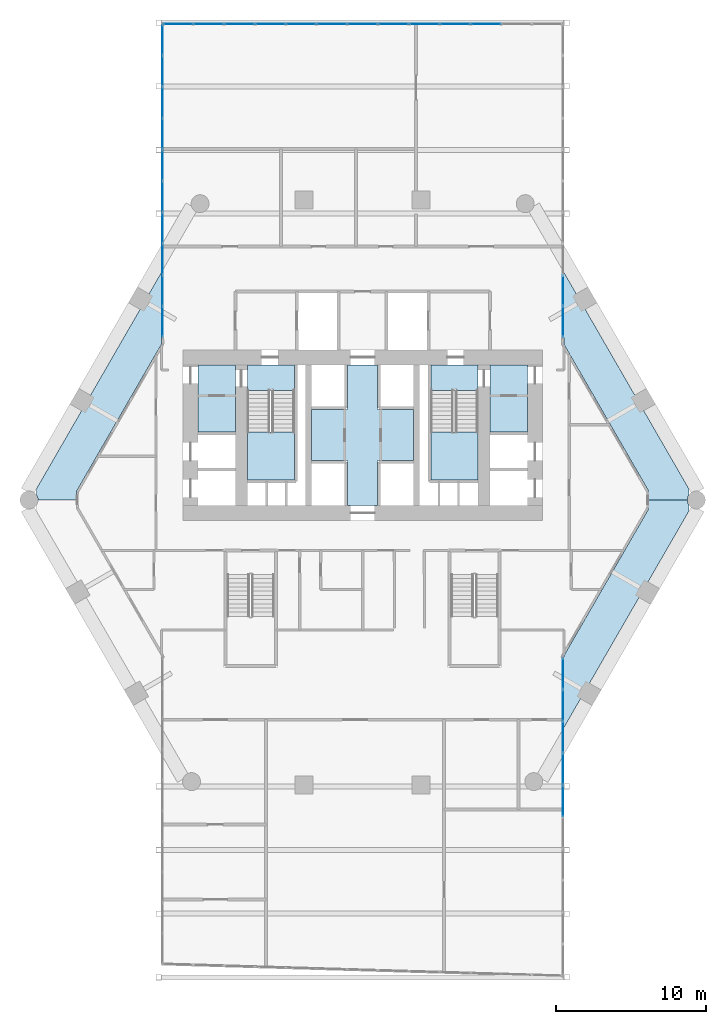
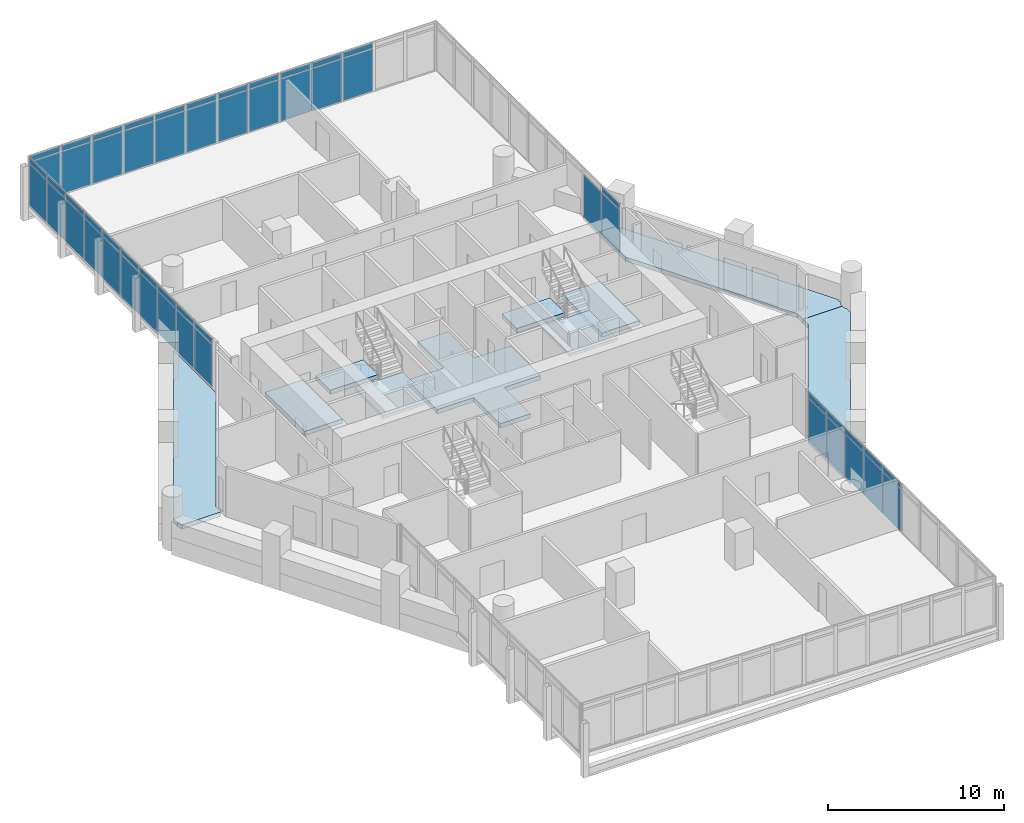
# One storey, part 21 of 28: 55 plates, 10 slabs, 6 elements without a shape of their own.
"""IFC4 building model written with IfcOpenShell, lengths in metres."""

import ifcopenshell
import ifcopenshell.guid

model = None  # the IFC model being written
_history = None  # IfcOwnerHistory: only IFC2X3 demands one
_inside = {}  # id of a spatial element -> (the spatial element, [elements in it])
_under = {}  # id of a project, library or spatial element -> (it, [spatial elements below it])
_declared = {}  # id of a project -> (the project, [libraries it declares])
_typed = {}  # id of a type object -> (the type object, [elements of that type])
_made_of = {}  # id of a material, layer set ... -> (it, [elements and type objects made of it])


def new_model(schema):
    """Start an empty IFC model of exactly this schema.

    Asked for "IFC4X3", IfcOpenShell would pick the latest addendum, in which some entities
    have other attributes; the version numbers below select the first issue.
    IFC2X3 requires an IfcOwnerHistory on every rooted entity: one is made here for all.
    """
    global model, _history
    if schema == "IFC4X3":
        model = ifcopenshell.file(schema_version=(4, 3, 0, 0))
    else:
        model = ifcopenshell.file(schema=schema)
    _inside.clear()
    _under.clear()
    _declared.clear()
    _typed.clear()
    _made_of.clear()
    _history = None
    if model.schema == "IFC2X3":
        org = make("IfcOrganization", Name="unknown")
        user = make(
            "IfcPersonAndOrganization",
            ThePerson=make("IfcPerson", FamilyName="unknown"),
            TheOrganization=org,
        )
        app = make(
            "IfcApplication",
            ApplicationDeveloper=org,
            Version="unknown",
            ApplicationFullName="unknown",
            ApplicationIdentifier="unknown",
        )
        _history = make(
            "IfcOwnerHistory",
            OwningUser=user,
            OwningApplication=app,
            ChangeAction="ADDED",
            CreationDate=0,
        )
    return model


def make(cls, **values):
    """One entity of the class cls with the attributes given. An attribute that is None is left unset."""
    return model.create_entity(
        cls, **{name: value for name, value in values.items() if value is not None}
    )


def rooted(cls, **values):
    """An entity with a GlobalId (a new one), such as an element, a storey or a relation."""
    return make(cls, GlobalId=ifcopenshell.guid.new(), OwnerHistory=_history, **values)


def si_unit(unit_type, name, prefix=None):
    """IfcSIUnit, for example si_unit("LENGTHUNIT", "METRE", prefix="MILLI")."""
    return make("IfcSIUnit", UnitType=unit_type, Prefix=prefix, Name=name)


def assignment(units):
    """IfcUnitAssignment: the units of a project."""
    return None if units is None else make("IfcUnitAssignment", Units=units)


def point(xyz):
    """IfcCartesianPoint."""
    return None if xyz is None else make("IfcCartesianPoint", Coordinates=xyz)


def direction(xyz):
    """IfcDirection."""
    return None if xyz is None else make("IfcDirection", DirectionRatios=xyz)


def frame(location, z_axis=None, x_axis=None):
    """IfcAxis2Placement3D, a coordinate frame: its origin and axes. An axis left out is left unset."""
    return make(
        "IfcAxis2Placement3D",
        Location=point(location),
        Axis=direction(z_axis),
        RefDirection=direction(x_axis),
    )


def frame_2d(location, x_axis=None):
    """IfcAxis2Placement2D, a coordinate frame in the plane: its origin and x axis."""
    return make(
        "IfcAxis2Placement2D", Location=point(location), RefDirection=direction(x_axis)
    )


def origin():
    """The frame at (0, 0, 0) with its axes left unset."""
    return frame((0.0, 0.0, 0.0))


def origin_2d():
    """The frame at (0, 0) in the plane with its x axis left unset."""
    return frame_2d((0.0, 0.0))


def place(relative_to, where):
    """IfcLocalPlacement: puts the frame where relative to a parent placement (None: the world)."""
    return make(
        "IfcLocalPlacement", PlacementRelTo=relative_to, RelativePlacement=where
    )


def context(
    kind, dimensions, precision=None, world=None, true_north=None, identifier=None
):
    """IfcGeometricRepresentationContext, for example the 3D "Model" context."""
    return make(
        "IfcGeometricRepresentationContext",
        ContextIdentifier=identifier,
        ContextType=kind,
        CoordinateSpaceDimension=dimensions,
        Precision=precision,
        WorldCoordinateSystem=world,
        TrueNorth=true_north,
    )


def subcontext(parent, identifier, kind, view, scale=None):
    """IfcGeometricRepresentationSubContext, for example "Body" below "Model"."""
    return make(
        "IfcGeometricRepresentationSubContext",
        ContextIdentifier=identifier,
        ContextType=kind,
        ParentContext=parent,
        TargetScale=scale,
        TargetView=view,
    )


def project(units=None, contexts=None):
    """IfcProject with its units and contexts."""
    return rooted(
        "IfcProject",
        Name="project",
        RepresentationContexts=contexts,
        UnitsInContext=assignment(units),
    )


def spatial(cls, under=None, at=None, **own):
    """A site, building, storey or space (cls), placed at a placement, below another one or the project."""
    s = rooted(cls, ObjectPlacement=at, **own)
    if under is not None:
        _under.setdefault(under.id(), (under, []))[1].append(s)
    return s


def polyline(points):
    """IfcPolyline through the points."""
    return make("IfcPolyline", Points=[point(p) for p in points])


def profile(cls, at=None, kind="AREA", **sizes):
    """A parametric profile (cls). Its sizes go by their IFC names, for example OverallWidth=200.0."""
    return make(cls, ProfileType=kind, Position=at, **sizes)


def rectangle(**sizes):
    """IfcRectangleProfileDef."""
    return profile("IfcRectangleProfileDef", **sizes)


def outline(outer, holes=None, kind="AREA"):
    """IfcArbitraryClosedProfileDef: a profile drawn as a closed curve; with holes, ...WithVoids."""
    if holes is None:
        return make("IfcArbitraryClosedProfileDef", ProfileType=kind, OuterCurve=outer)
    return make(
        "IfcArbitraryProfileDefWithVoids",
        ProfileType=kind,
        OuterCurve=outer,
        InnerCurves=holes,
    )


def extrude(swept, where, along, depth):
    """IfcExtrudedAreaSolid: the profile swept, set in the frame where, extruded along a direction by depth."""
    return make(
        "IfcExtrudedAreaSolid",
        SweptArea=swept,
        Position=where,
        ExtrudedDirection=direction(along),
        Depth=depth,
    )


def shape(context_of_items, identifier, shape_type, items):
    """IfcShapeRepresentation: the items that make up one representation, for example the "Body"."""
    return make(
        "IfcShapeRepresentation",
        ContextOfItems=context_of_items,
        RepresentationIdentifier=identifier,
        RepresentationType=shape_type,
        Items=items,
    )


def material(Name=None, Category=None):
    """IfcMaterial."""
    return make("IfcMaterial", Name=Name, Category=Category)


def layer(
    of_material, thickness, ventilated=None, Name=None, Category=None, Priority=None
):
    """IfcMaterialLayer: one layer of a wall or slab, of a material (None: an air gap)."""
    return make(
        "IfcMaterialLayer",
        Material=of_material,
        LayerThickness=thickness,
        IsVentilated=ventilated,
        Name=Name,
        Category=Category,
        Priority=Priority,
    )


def layer_set(layers, Name=None):
    """IfcMaterialLayerSet."""
    return make("IfcMaterialLayerSet", MaterialLayers=layers, LayerSetName=Name)


def made_of(thing, what):
    """Note that an element or type object is made of a material, layer set ...; save() writes the relation."""
    if what is not None:
        _made_of.setdefault(what.id(), (what, []))[1].append(thing)
    return thing


def type_object(cls, material=None, **own):
    """A type object (cls), such as IfcWallType, which elements share."""
    return made_of(rooted(cls, **own), material)


def element(
    cls,
    number,
    at=None,
    inside=None,
    cuts=None,
    type_object=None,
    material=None,
    context=None,
    identifier="Body",
    shape_type=None,
    held_by="IfcProductDefinitionShape",
    body=None,
    shapes=None,
    **own,
):
    """One element of the class cls, such as IfcWall. Its Tag is "e" and its number.

    at: its placement. inside: the storey or other place that contains it. cuts: it is an
    opening in that element (IfcRelVoidsElement). A single representation is given by context,
    identifier, shape_type and body (its items); several are given by shapes. held_by: the class
    of the entity that holds the representations. save() writes the other relations.
    """
    e = rooted(cls, Tag="e%d" % number, ObjectPlacement=at, **own)
    if body is not None:
        shapes = [shape(context, identifier, shape_type, body)]
    if shapes is not None:
        e.Representation = make(held_by, Representations=shapes)
    if inside is not None:
        _inside.setdefault(inside.id(), (inside, []))[1].append(e)
    if cuts is not None:
        rooted(
            "IfcRelVoidsElement", RelatingBuildingElement=cuts, RelatedOpeningElement=e
        )
    if type_object is not None:
        _typed.setdefault(type_object.id(), (type_object, []))[1].append(e)
    return made_of(e, material)


def aggregate(whole, parts):
    """IfcRelAggregates: a whole, such as a stair, and the parts it consists of."""
    return rooted("IfcRelAggregates", RelatingObject=whole, RelatedObjects=parts)


def save(model, path):
    """Write the relations noted so far, then the file.

    IfcRelAggregates (storeys below a building ...), IfcRelContainedInSpatialStructure (elements
    in a storey), IfcRelDefinesByType, IfcRelAssociatesMaterial and IfcRelDeclares: one each for
    every whole, place, type object, material and project.
    """
    for whole, parts in _under.values():
        aggregate(whole, parts)
    for where, things in _inside.values():
        rooted(
            "IfcRelContainedInSpatialStructure",
            RelatedElements=things,
            RelatingStructure=where,
        )
    for kind, things in _typed.values():
        rooted("IfcRelDefinesByType", RelatedObjects=things, RelatingType=kind)
    for what, things in _made_of.values():
        rooted("IfcRelAssociatesMaterial", RelatedObjects=things, RelatingMaterial=what)
    for by, libraries in _declared.values():
        rooted("IfcRelDeclares", RelatingContext=by, RelatedDefinitions=libraries)
    model.write(path)


model = new_model("IFC4")

# Units and contexts
model_context = context("Model", 3, precision=1e-05, world=origin(), true_north=direction((0.0, 1.0)))
body_context = subcontext(model_context, "Body", "Model", "MODEL_VIEW")
ifc_project = project(units=[si_unit("LENGTHUNIT", "METRE"), si_unit("AREAUNIT", "SQUARE_METRE"), si_unit("VOLUMEUNIT", "CUBIC_METRE"), si_unit("PLANEANGLEUNIT", "RADIAN"), si_unit("MASSUNIT", "GRAM", prefix="KILO")], contexts=[model_context])

# Site, building, storey
site_placement = place(None, origin())
site = spatial("IfcSite", under=ifc_project, at=site_placement, CompositionType="ELEMENT")
building_placement = place(site_placement, origin())
building = spatial("IfcBuilding", under=site, at=building_placement, Name="Ostrander Bayou Hotel Tower", CompositionType="ELEMENT")
storey_placement = place(building_placement, frame((0.0, 0.0, 100.5)))
storey = spatial("IfcBuildingStorey", under=building, at=storey_placement, Name="L25", CompositionType="ELEMENT", Elevation=100.5)

# Curtain wall, plates
ifc_material_1 = material(Name="Aluminium and clear glass", Category="aluminium")
curtain_wall_type = type_object("IfcCurtainWallType", Name="CW-BAR glazed wall", PredefinedType="NOTDEFINED", material=ifc_material_1)
curtain_wall_1_placement = place(storey_placement, origin())
curtain_wall_1 = element("IfcCurtainWall", 1, at=curtain_wall_1_placement, inside=storey, type_object=curtain_wall_type, Name="CW-BAR L25:SB2S:W", PredefinedType="NOTDEFINED")
ifc_material_2 = material(Name="Clear laminated glass", Category="glass")
ifc_layer_1 = layer(ifc_material_2, 0.028076171875)
ifc_layer_set_1 = layer_set([ifc_layer_1], Name="CW-BR glazing panel 28 mm")
plate_type = type_object("IfcPlateType", Name="CW-BR glazing panel 28 mm", PredefinedType="CURTAIN_PANEL", material=ifc_layer_set_1)
plate_1_placement = place(storey_placement, frame((13.3671875, -11.9248046875, 0.06005859375), z_axis=(0.0, 0.0, 1.0), x_axis=(0.0, -1.0, 0.0)))
plate_1 = element("IfcPlate", 2, at=plate_1_placement, type_object=plate_type, Name="CW-BAR panel 1.1", PredefinedType="CURTAIN_PANEL", context=body_context, shape_type="SweptSolid", body=[
    extrude(rectangle(XDim=2.03515625, YDim=0.028076171875, at=origin_2d()), origin(), (0.0, 0.0, 1.0), 2.909912109375),
])
plate_2_placement = place(storey_placement, frame((13.3671875, -11.9248046875, 3.02978515625), z_axis=(0.0, 0.0, 1.0), x_axis=(0.0, -1.0, 0.0)))
plate_2 = element("IfcPlate", 3, at=plate_2_placement, type_object=plate_type, Name="CW-BAR panel 1.2", PredefinedType="CURTAIN_PANEL", context=body_context, shape_type="SweptSolid", body=[
    extrude(rectangle(XDim=2.03515625, YDim=0.028076171875, at=origin_2d()), origin(), (0.0, 0.0, 1.0), 0.360107421875),
])
plate_3_placement = place(storey_placement, frame((13.3671875, -14.034912109375, 0.06005859375), z_axis=(0.0, 0.0, 1.0), x_axis=(0.0, -1.0, 0.0)))
plate_3 = element("IfcPlate", 4, at=plate_3_placement, type_object=plate_type, Name="CW-BAR panel 2.1", PredefinedType="CURTAIN_PANEL", context=body_context, shape_type="SweptSolid", body=[
    extrude(rectangle(XDim=2.06494140625, YDim=0.028076171875, at=origin_2d()), origin(), (0.0, 0.0, 1.0), 2.909912109375),
])
plate_4_placement = place(storey_placement, frame((13.3671875, -14.034912109375, 3.02978515625), z_axis=(0.0, 0.0, 1.0), x_axis=(0.0, -1.0, 0.0)))
plate_4 = element("IfcPlate", 5, at=plate_4_placement, type_object=plate_type, Name="CW-BAR panel 2.2", PredefinedType="CURTAIN_PANEL", context=body_context, shape_type="SweptSolid", body=[
    extrude(rectangle(XDim=2.06494140625, YDim=0.028076171875, at=origin_2d()), origin(), (0.0, 0.0, 1.0), 0.360107421875),
])
plate_5_placement = place(storey_placement, frame((13.3671875, -16.159912109375, 0.06005859375), z_axis=(0.0, 0.0, 1.0), x_axis=(0.0, -1.0, 0.0)))
plate_5 = element("IfcPlate", 6, at=plate_5_placement, type_object=plate_type, Name="CW-BAR panel 3.1", PredefinedType="CURTAIN_PANEL", context=body_context, shape_type="SweptSolid", body=[
    extrude(rectangle(XDim=2.06494140625, YDim=0.028076171875, at=origin_2d()), origin(), (0.0, 0.0, 1.0), 2.909912109375),
])
plate_6_placement = place(storey_placement, frame((13.3671875, -16.159912109375, 3.02978515625), z_axis=(0.0, 0.0, 1.0), x_axis=(0.0, -1.0, 0.0)))
plate_6 = element("IfcPlate", 7, at=plate_6_placement, type_object=plate_type, Name="CW-BAR panel 3.2", PredefinedType="CURTAIN_PANEL", context=body_context, shape_type="SweptSolid", body=[
    extrude(rectangle(XDim=2.06494140625, YDim=0.028076171875, at=origin_2d()), origin(), (0.0, 0.0, 1.0), 0.360107421875),
])
plate_7_placement = place(storey_placement, frame((13.3671875, -18.284912109375, 0.06005859375), z_axis=(0.0, 0.0, 1.0), x_axis=(0.0, -1.0, 0.0)))
plate_7 = element("IfcPlate", 8, at=plate_7_placement, type_object=plate_type, Name="CW-BAR panel 4.1", PredefinedType="CURTAIN_PANEL", context=body_context, shape_type="SweptSolid", body=[
    extrude(rectangle(XDim=2.06494140625, YDim=0.028076171875, at=origin_2d()), origin(), (0.0, 0.0, 1.0), 2.909912109375),
])
plate_8_placement = place(storey_placement, frame((13.3671875, -18.284912109375, 3.02978515625), z_axis=(0.0, 0.0, 1.0), x_axis=(0.0, -1.0, 0.0)))
plate_8 = element("IfcPlate", 9, at=plate_8_placement, type_object=plate_type, Name="CW-BAR panel 4.2", PredefinedType="CURTAIN_PANEL", context=body_context, shape_type="SweptSolid", body=[
    extrude(rectangle(XDim=2.06494140625, YDim=0.028076171875, at=origin_2d()), origin(), (0.0, 0.0, 1.0), 0.360107421875),
])
plate_9_placement = place(storey_placement, frame((13.3671875, -20.409912109375, 0.06005859375), z_axis=(0.0, 0.0, 1.0), x_axis=(0.0, -1.0, 0.0)))
plate_9 = element("IfcPlate", 10, at=plate_9_placement, type_object=plate_type, Name="CW-BAR panel 5.1", PredefinedType="CURTAIN_PANEL", context=body_context, shape_type="SweptSolid", body=[
    extrude(rectangle(XDim=2.06494140625, YDim=0.028076171875, at=origin_2d()), origin(), (0.0, 0.0, 1.0), 2.909912109375),
])
plate_10_placement = place(storey_placement, frame((13.3671875, -20.409912109375, 3.02978515625), z_axis=(0.0, 0.0, 1.0), x_axis=(0.0, -1.0, 0.0)))
plate_10 = element("IfcPlate", 11, at=plate_10_placement, type_object=plate_type, Name="CW-BAR panel 5.2", PredefinedType="CURTAIN_PANEL", context=body_context, shape_type="SweptSolid", body=[
    extrude(rectangle(XDim=2.06494140625, YDim=0.028076171875, at=origin_2d()), origin(), (0.0, 0.0, 1.0), 0.360107421875),
])
aggregate(curtain_wall_1, [plate_1, plate_2, plate_3, plate_4, plate_5, plate_6, plate_7, plate_8, plate_9, plate_10])

curtain_wall_2_placement = place(storey_placement, origin())
curtain_wall_2 = element("IfcCurtainWall", 12, at=curtain_wall_2_placement, inside=storey, type_object=curtain_wall_type, Name="CW-BAR L25:SB2N:E", PredefinedType="NOTDEFINED")
plate_11_placement = place(storey_placement, frame((-13.3671875, 11.581298828125, 0.06005859375), z_axis=(0.0, 0.0, 1.0), x_axis=(0.0, 1.0, 0.0)))
plate_11 = element("IfcPlate", 13, at=plate_11_placement, type_object=plate_type, Name="CW-BAR panel 1.1", PredefinedType="CURTAIN_PANEL", context=body_context, shape_type="SweptSolid", body=[
    extrude(rectangle(XDim=2.00244140625, YDim=0.028076171875, at=origin_2d()), origin(), (0.0, 0.0, 1.0), 2.909912109375),
])
plate_12_placement = place(storey_placement, frame((-13.3671875, 11.581298828125, 3.02978515625), z_axis=(0.0, 0.0, 1.0), x_axis=(0.0, 1.0, 0.0)))
plate_12 = element("IfcPlate", 14, at=plate_12_placement, type_object=plate_type, Name="CW-BAR panel 1.2", PredefinedType="CURTAIN_PANEL", context=body_context, shape_type="SweptSolid", body=[
    extrude(rectangle(XDim=2.00244140625, YDim=0.028076171875, at=origin_2d()), origin(), (0.0, 0.0, 1.0), 0.360107421875),
])
plate_13_placement = place(storey_placement, frame((-13.3671875, 13.65869140625, 0.06005859375), z_axis=(0.0, 0.0, 1.0), x_axis=(0.0, 1.0, 0.0)))
plate_13 = element("IfcPlate", 15, at=plate_13_placement, type_object=plate_type, Name="CW-BAR panel 2.1", PredefinedType="CURTAIN_PANEL", context=body_context, shape_type="SweptSolid", body=[
    extrude(rectangle(XDim=2.032470703125, YDim=0.028076171875, at=origin_2d()), origin(), (0.0, 0.0, 1.0), 2.909912109375),
])
plate_14_placement = place(storey_placement, frame((-13.3671875, 13.65869140625, 3.02978515625), z_axis=(0.0, 0.0, 1.0), x_axis=(0.0, 1.0, 0.0)))
plate_14 = element("IfcPlate", 16, at=plate_14_placement, type_object=plate_type, Name="CW-BAR panel 2.2", PredefinedType="CURTAIN_PANEL", context=body_context, shape_type="SweptSolid", body=[
    extrude(rectangle(XDim=2.032470703125, YDim=0.028076171875, at=origin_2d()), origin(), (0.0, 0.0, 1.0), 0.360107421875),
])
plate_15_placement = place(storey_placement, frame((-13.3671875, 15.75146484375, 0.06005859375), z_axis=(0.0, 0.0, 1.0), x_axis=(0.0, 1.0, 0.0)))
plate_15 = element("IfcPlate", 17, at=plate_15_placement, type_object=plate_type, Name="CW-BAR panel 3.1", PredefinedType="CURTAIN_PANEL", context=body_context, shape_type="SweptSolid", body=[
    extrude(rectangle(XDim=2.032470703125, YDim=0.028076171875, at=origin_2d()), origin(), (0.0, 0.0, 1.0), 2.909912109375),
])
plate_16_placement = place(storey_placement, frame((-13.3671875, 15.75146484375, 3.02978515625), z_axis=(0.0, 0.0, 1.0), x_axis=(0.0, 1.0, 0.0)))
plate_16 = element("IfcPlate", 18, at=plate_16_placement, type_object=plate_type, Name="CW-BAR panel 3.2", PredefinedType="CURTAIN_PANEL", context=body_context, shape_type="SweptSolid", body=[
    extrude(rectangle(XDim=2.032470703125, YDim=0.028076171875, at=origin_2d()), origin(), (0.0, 0.0, 1.0), 0.360107421875),
])
plate_17_placement = place(storey_placement, frame((-13.3671875, 17.843994140625, 0.06005859375), z_axis=(0.0, 0.0, 1.0), x_axis=(0.0, 1.0, 0.0)))
plate_17 = element("IfcPlate", 19, at=plate_17_placement, type_object=plate_type, Name="CW-BAR panel 4.1", PredefinedType="CURTAIN_PANEL", context=body_context, shape_type="SweptSolid", body=[
    extrude(rectangle(XDim=2.032470703125, YDim=0.028076171875, at=origin_2d()), origin(), (0.0, 0.0, 1.0), 2.909912109375),
])
plate_18_placement = place(storey_placement, frame((-13.3671875, 17.843994140625, 3.02978515625), z_axis=(0.0, 0.0, 1.0), x_axis=(0.0, 1.0, 0.0)))
plate_18 = element("IfcPlate", 20, at=plate_18_placement, type_object=plate_type, Name="CW-BAR panel 4.2", PredefinedType="CURTAIN_PANEL", context=body_context, shape_type="SweptSolid", body=[
    extrude(rectangle(XDim=2.032470703125, YDim=0.028076171875, at=origin_2d()), origin(), (0.0, 0.0, 1.0), 0.360107421875),
])
plate_19_placement = place(storey_placement, frame((-13.3671875, 19.9365234375, 0.06005859375), z_axis=(0.0, 0.0, 1.0), x_axis=(0.0, 1.0, 0.0)))
plate_19 = element("IfcPlate", 21, at=plate_19_placement, type_object=plate_type, Name="CW-BAR panel 5.1", PredefinedType="CURTAIN_PANEL", context=body_context, shape_type="SweptSolid", body=[
    extrude(rectangle(XDim=2.032470703125, YDim=0.028076171875, at=origin_2d()), origin(), (0.0, 0.0, 1.0), 2.909912109375),
])
plate_20_placement = place(storey_placement, frame((-13.3671875, 19.9365234375, 3.02978515625), z_axis=(0.0, 0.0, 1.0), x_axis=(0.0, 1.0, 0.0)))
plate_20 = element("IfcPlate", 22, at=plate_20_placement, type_object=plate_type, Name="CW-BAR panel 5.2", PredefinedType="CURTAIN_PANEL", context=body_context, shape_type="SweptSolid", body=[
    extrude(rectangle(XDim=2.032470703125, YDim=0.028076171875, at=origin_2d()), origin(), (0.0, 0.0, 1.0), 0.360107421875),
])
plate_21_placement = place(storey_placement, frame((-13.3671875, 22.029052734375, 0.06005859375), z_axis=(0.0, 0.0, 1.0), x_axis=(0.0, 1.0, 0.0)))
plate_21 = element("IfcPlate", 23, at=plate_21_placement, type_object=plate_type, Name="CW-BAR panel 6.1", PredefinedType="CURTAIN_PANEL", context=body_context, shape_type="SweptSolid", body=[
    extrude(rectangle(XDim=2.032470703125, YDim=0.028076171875, at=origin_2d()), origin(), (0.0, 0.0, 1.0), 2.909912109375),
])
plate_22_placement = place(storey_placement, frame((-13.3671875, 22.029052734375, 3.02978515625), z_axis=(0.0, 0.0, 1.0), x_axis=(0.0, 1.0, 0.0)))
plate_22 = element("IfcPlate", 24, at=plate_22_placement, type_object=plate_type, Name="CW-BAR panel 6.2", PredefinedType="CURTAIN_PANEL", context=body_context, shape_type="SweptSolid", body=[
    extrude(rectangle(XDim=2.032470703125, YDim=0.028076171875, at=origin_2d()), origin(), (0.0, 0.0, 1.0), 0.360107421875),
])
plate_23_placement = place(storey_placement, frame((-13.3671875, 24.12158203125, 0.06005859375), z_axis=(0.0, 0.0, 1.0), x_axis=(0.0, 1.0, 0.0)))
plate_23 = element("IfcPlate", 25, at=plate_23_placement, type_object=plate_type, Name="CW-BAR panel 7.1", PredefinedType="CURTAIN_PANEL", context=body_context, shape_type="SweptSolid", body=[
    extrude(rectangle(XDim=2.032470703125, YDim=0.028076171875, at=origin_2d()), origin(), (0.0, 0.0, 1.0), 2.909912109375),
])
plate_24_placement = place(storey_placement, frame((-13.3671875, 24.12158203125, 3.02978515625), z_axis=(0.0, 0.0, 1.0), x_axis=(0.0, 1.0, 0.0)))
plate_24 = element("IfcPlate", 26, at=plate_24_placement, type_object=plate_type, Name="CW-BAR panel 7.2", PredefinedType="CURTAIN_PANEL", context=body_context, shape_type="SweptSolid", body=[
    extrude(rectangle(XDim=2.032470703125, YDim=0.028076171875, at=origin_2d()), origin(), (0.0, 0.0, 1.0), 0.360107421875),
])
plate_25_placement = place(storey_placement, frame((-13.3671875, 26.214111328125, 0.06005859375), z_axis=(0.0, 0.0, 1.0), x_axis=(0.0, 1.0, 0.0)))
plate_25 = element("IfcPlate", 27, at=plate_25_placement, type_object=plate_type, Name="CW-BAR panel 8.1", PredefinedType="CURTAIN_PANEL", context=body_context, shape_type="SweptSolid", body=[
    extrude(rectangle(XDim=2.032470703125, YDim=0.028076171875, at=origin_2d()), origin(), (0.0, 0.0, 1.0), 2.909912109375),
])
plate_26_placement = place(storey_placement, frame((-13.3671875, 26.214111328125, 3.02978515625), z_axis=(0.0, 0.0, 1.0), x_axis=(0.0, 1.0, 0.0)))
plate_26 = element("IfcPlate", 28, at=plate_26_placement, type_object=plate_type, Name="CW-BAR panel 8.2", PredefinedType="CURTAIN_PANEL", context=body_context, shape_type="SweptSolid", body=[
    extrude(rectangle(XDim=2.032470703125, YDim=0.028076171875, at=origin_2d()), origin(), (0.0, 0.0, 1.0), 0.360107421875),
])
plate_27_placement = place(storey_placement, frame((-13.3671875, 28.306640625, 0.06005859375), z_axis=(0.0, 0.0, 1.0), x_axis=(0.0, 1.0, 0.0)))
plate_27 = element("IfcPlate", 29, at=plate_27_placement, type_object=plate_type, Name="CW-BAR panel 9.1", PredefinedType="CURTAIN_PANEL", context=body_context, shape_type="SweptSolid", body=[
    extrude(rectangle(XDim=2.032470703125, YDim=0.028076171875, at=origin_2d()), origin(), (0.0, 0.0, 1.0), 2.909912109375),
])
plate_28_placement = place(storey_placement, frame((-13.3671875, 28.306640625, 3.02978515625), z_axis=(0.0, 0.0, 1.0), x_axis=(0.0, 1.0, 0.0)))
plate_28 = element("IfcPlate", 30, at=plate_28_placement, type_object=plate_type, Name="CW-BAR panel 9.2", PredefinedType="CURTAIN_PANEL", context=body_context, shape_type="SweptSolid", body=[
    extrude(rectangle(XDim=2.032470703125, YDim=0.028076171875, at=origin_2d()), origin(), (0.0, 0.0, 1.0), 0.360107421875),
])
plate_29_placement = place(storey_placement, frame((-13.3671875, 30.384033203125, 0.06005859375), z_axis=(0.0, 0.0, 1.0), x_axis=(0.0, 1.0, 0.0)))
plate_29 = element("IfcPlate", 31, at=plate_29_placement, type_object=plate_type, Name="CW-BAR panel 10.1", PredefinedType="CURTAIN_PANEL", context=body_context, shape_type="SweptSolid", body=[
    extrude(rectangle(XDim=2.00244140625, YDim=0.028076171875, at=origin_2d()), origin(), (0.0, 0.0, 1.0), 2.909912109375),
])
plate_30_placement = place(storey_placement, frame((-13.3671875, 30.384033203125, 3.02978515625), z_axis=(0.0, 0.0, 1.0), x_axis=(0.0, 1.0, 0.0)))
plate_30 = element("IfcPlate", 32, at=plate_30_placement, type_object=plate_type, Name="CW-BAR panel 10.2", PredefinedType="CURTAIN_PANEL", context=body_context, shape_type="SweptSolid", body=[
    extrude(rectangle(XDim=2.00244140625, YDim=0.028076171875, at=origin_2d()), origin(), (0.0, 0.0, 1.0), 0.360107421875),
])
aggregate(curtain_wall_2, [plate_11, plate_12, plate_13, plate_14, plate_15, plate_16, plate_17, plate_18, plate_19, plate_20, plate_21, plate_22, plate_23, plate_24, plate_25, plate_26, plate_27, plate_28, plate_29, plate_30])

curtain_wall_3_placement = place(storey_placement, origin())
curtain_wall_3 = element("IfcCurtainWall", 33, at=curtain_wall_3_placement, inside=storey, type_object=curtain_wall_type, Name="CW-BAR L25:SB2N:T", PredefinedType="NOTDEFINED")
plate_31_placement = place(storey_placement, frame((-12.323974609375, 31.4453125, 0.06005859375), z_axis=(0.0, 0.0, 1.0), x_axis=(1.0, 0.0, 0.0)))
plate_31 = element("IfcPlate", 34, at=plate_31_placement, type_object=plate_type, Name="CW-BAR panel 1.1", PredefinedType="CURTAIN_PANEL", context=body_context, shape_type="SweptSolid", body=[
    extrude(rectangle(XDim=1.966552734375, YDim=0.028076171875, at=origin_2d()), origin(), (0.0, 0.0, 1.0), 2.909912109375),
])
plate_32_placement = place(storey_placement, frame((-12.323974609375, 31.4453125, 3.02978515625), z_axis=(0.0, 0.0, 1.0), x_axis=(1.0, 0.0, 0.0)))
plate_32 = element("IfcPlate", 35, at=plate_32_placement, type_object=plate_type, Name="CW-BAR panel 1.2", PredefinedType="CURTAIN_PANEL", context=body_context, shape_type="SweptSolid", body=[
    extrude(rectangle(XDim=1.966552734375, YDim=0.028076171875, at=origin_2d()), origin(), (0.0, 0.0, 1.0), 0.360107421875),
])
plate_33_placement = place(storey_placement, frame((-10.282470703125, 31.4453125, 0.06005859375), z_axis=(0.0, 0.0, 1.0), x_axis=(1.0, 0.0, 0.0)))
plate_33 = element("IfcPlate", 36, at=plate_33_placement, type_object=plate_type, Name="CW-BAR panel 2.1", PredefinedType="CURTAIN_PANEL", context=body_context, shape_type="SweptSolid", body=[
    extrude(rectangle(XDim=1.99658203125, YDim=0.028076171875, at=origin_2d()), origin(), (0.0, 0.0, 1.0), 2.909912109375),
])
plate_34_placement = place(storey_placement, frame((-10.282470703125, 31.4453125, 3.02978515625), z_axis=(0.0, 0.0, 1.0), x_axis=(1.0, 0.0, 0.0)))
plate_34 = element("IfcPlate", 37, at=plate_34_placement, type_object=plate_type, Name="CW-BAR panel 2.2", PredefinedType="CURTAIN_PANEL", context=body_context, shape_type="SweptSolid", body=[
    extrude(rectangle(XDim=1.99658203125, YDim=0.028076171875, at=origin_2d()), origin(), (0.0, 0.0, 1.0), 0.360107421875),
])
plate_35_placement = place(storey_placement, frame((-8.22607421875, 31.4453125, 0.06005859375), z_axis=(0.0, 0.0, 1.0), x_axis=(1.0, 0.0, 0.0)))
plate_35 = element("IfcPlate", 38, at=plate_35_placement, type_object=plate_type, Name="CW-BAR panel 3.1", PredefinedType="CURTAIN_PANEL", context=body_context, shape_type="SweptSolid", body=[
    extrude(rectangle(XDim=1.99658203125, YDim=0.028076171875, at=origin_2d()), origin(), (0.0, 0.0, 1.0), 2.909912109375),
])
plate_36_placement = place(storey_placement, frame((-8.22607421875, 31.4453125, 3.02978515625), z_axis=(0.0, 0.0, 1.0), x_axis=(1.0, 0.0, 0.0)))
plate_36 = element("IfcPlate", 39, at=plate_36_placement, type_object=plate_type, Name="CW-BAR panel 3.2", PredefinedType="CURTAIN_PANEL", context=body_context, shape_type="SweptSolid", body=[
    extrude(rectangle(XDim=1.99658203125, YDim=0.028076171875, at=origin_2d()), origin(), (0.0, 0.0, 1.0), 0.360107421875),
])
plate_37_placement = place(storey_placement, frame((-6.16943359375, 31.4453125, 0.06005859375), z_axis=(0.0, 0.0, 1.0), x_axis=(1.0, 0.0, 0.0)))
plate_37 = element("IfcPlate", 40, at=plate_37_placement, type_object=plate_type, Name="CW-BAR panel 4.1", PredefinedType="CURTAIN_PANEL", context=body_context, shape_type="SweptSolid", body=[
    extrude(rectangle(XDim=1.99658203125, YDim=0.028076171875, at=origin_2d()), origin(), (0.0, 0.0, 1.0), 2.909912109375),
])
plate_38_placement = place(storey_placement, frame((-6.16943359375, 31.4453125, 3.02978515625), z_axis=(0.0, 0.0, 1.0), x_axis=(1.0, 0.0, 0.0)))
plate_38 = element("IfcPlate", 41, at=plate_38_placement, type_object=plate_type, Name="CW-BAR panel 4.2", PredefinedType="CURTAIN_PANEL", context=body_context, shape_type="SweptSolid", body=[
    extrude(rectangle(XDim=1.99658203125, YDim=0.028076171875, at=origin_2d()), origin(), (0.0, 0.0, 1.0), 0.360107421875),
])
plate_39_placement = place(storey_placement, frame((-4.113037109375, 31.4453125, 0.06005859375), z_axis=(0.0, 0.0, 1.0), x_axis=(1.0, 0.0, 0.0)))
plate_39 = element("IfcPlate", 42, at=plate_39_placement, type_object=plate_type, Name="CW-BAR panel 5.1", PredefinedType="CURTAIN_PANEL", context=body_context, shape_type="SweptSolid", body=[
    extrude(rectangle(XDim=1.99658203125, YDim=0.028076171875, at=origin_2d()), origin(), (0.0, 0.0, 1.0), 2.909912109375),
])
plate_40_placement = place(storey_placement, frame((-4.113037109375, 31.4453125, 3.02978515625), z_axis=(0.0, 0.0, 1.0), x_axis=(1.0, 0.0, 0.0)))
plate_40 = element("IfcPlate", 43, at=plate_40_placement, type_object=plate_type, Name="CW-BAR panel 5.2", PredefinedType="CURTAIN_PANEL", context=body_context, shape_type="SweptSolid", body=[
    extrude(rectangle(XDim=1.99658203125, YDim=0.028076171875, at=origin_2d()), origin(), (0.0, 0.0, 1.0), 0.360107421875),
])
plate_41_placement = place(storey_placement, frame((-2.056396484375, 31.4453125, 0.06005859375), z_axis=(0.0, 0.0, 1.0), x_axis=(1.0, 0.0, 0.0)))
plate_41 = element("IfcPlate", 44, at=plate_41_placement, type_object=plate_type, Name="CW-BAR panel 6.1", PredefinedType="CURTAIN_PANEL", context=body_context, shape_type="SweptSolid", body=[
    extrude(rectangle(XDim=1.99658203125, YDim=0.028076171875, at=origin_2d()), origin(), (0.0, 0.0, 1.0), 2.909912109375),
])
plate_42_placement = place(storey_placement, frame((-2.056396484375, 31.4453125, 3.02978515625), z_axis=(0.0, 0.0, 1.0), x_axis=(1.0, 0.0, 0.0)))
plate_42 = element("IfcPlate", 45, at=plate_42_placement, type_object=plate_type, Name="CW-BAR panel 6.2", PredefinedType="CURTAIN_PANEL", context=body_context, shape_type="SweptSolid", body=[
    extrude(rectangle(XDim=1.99658203125, YDim=0.028076171875, at=origin_2d()), origin(), (0.0, 0.0, 1.0), 0.360107421875),
])
plate_43_placement = place(storey_placement, frame((0.0, 31.4453125, 0.06005859375), z_axis=(0.0, 0.0, 1.0), x_axis=(1.0, 0.0, 0.0)))
plate_43 = element("IfcPlate", 46, at=plate_43_placement, type_object=plate_type, Name="CW-BAR panel 7.1", PredefinedType="CURTAIN_PANEL", context=body_context, shape_type="SweptSolid", body=[
    extrude(rectangle(XDim=1.99658203125, YDim=0.028076171875, at=origin_2d()), origin(), (0.0, 0.0, 1.0), 2.909912109375),
])
plate_44_placement = place(storey_placement, frame((0.0, 31.4453125, 3.02978515625), z_axis=(0.0, 0.0, 1.0), x_axis=(1.0, 0.0, 0.0)))
plate_44 = element("IfcPlate", 47, at=plate_44_placement, type_object=plate_type, Name="CW-BAR panel 7.2", PredefinedType="CURTAIN_PANEL", context=body_context, shape_type="SweptSolid", body=[
    extrude(rectangle(XDim=1.99658203125, YDim=0.028076171875, at=origin_2d()), origin(), (0.0, 0.0, 1.0), 0.360107421875),
])
plate_45_placement = place(storey_placement, frame((2.056396484375, 31.4453125, 0.06005859375), z_axis=(0.0, 0.0, 1.0), x_axis=(1.0, 0.0, 0.0)))
plate_45 = element("IfcPlate", 48, at=plate_45_placement, type_object=plate_type, Name="CW-BAR panel 8.1", PredefinedType="CURTAIN_PANEL", context=body_context, shape_type="SweptSolid", body=[
    extrude(rectangle(XDim=1.99658203125, YDim=0.028076171875, at=origin_2d()), origin(), (0.0, 0.0, 1.0), 2.909912109375),
])
plate_46_placement = place(storey_placement, frame((2.056396484375, 31.4453125, 3.02978515625), z_axis=(0.0, 0.0, 1.0), x_axis=(1.0, 0.0, 0.0)))
plate_46 = element("IfcPlate", 49, at=plate_46_placement, type_object=plate_type, Name="CW-BAR panel 8.2", PredefinedType="CURTAIN_PANEL", context=body_context, shape_type="SweptSolid", body=[
    extrude(rectangle(XDim=1.99658203125, YDim=0.028076171875, at=origin_2d()), origin(), (0.0, 0.0, 1.0), 0.360107421875),
])
plate_47_placement = place(storey_placement, frame((4.113037109375, 31.4453125, 0.06005859375), z_axis=(0.0, 0.0, 1.0), x_axis=(1.0, 0.0, 0.0)))
plate_47 = element("IfcPlate", 50, at=plate_47_placement, type_object=plate_type, Name="CW-BAR panel 9.1", PredefinedType="CURTAIN_PANEL", context=body_context, shape_type="SweptSolid", body=[
    extrude(rectangle(XDim=1.99658203125, YDim=0.028076171875, at=origin_2d()), origin(), (0.0, 0.0, 1.0), 2.909912109375),
])
plate_48_placement = place(storey_placement, frame((4.113037109375, 31.4453125, 3.02978515625), z_axis=(0.0, 0.0, 1.0), x_axis=(1.0, 0.0, 0.0)))
plate_48 = element("IfcPlate", 51, at=plate_48_placement, type_object=plate_type, Name="CW-BAR panel 9.2", PredefinedType="CURTAIN_PANEL", context=body_context, shape_type="SweptSolid", body=[
    extrude(rectangle(XDim=1.99658203125, YDim=0.028076171875, at=origin_2d()), origin(), (0.0, 0.0, 1.0), 0.360107421875),
])
plate_49_placement = place(storey_placement, frame((6.16943359375, 31.4453125, 0.06005859375), z_axis=(0.0, 0.0, 1.0), x_axis=(1.0, 0.0, 0.0)))
plate_49 = element("IfcPlate", 52, at=plate_49_placement, type_object=plate_type, Name="CW-BAR panel 10.1", PredefinedType="CURTAIN_PANEL", context=body_context, shape_type="SweptSolid", body=[
    extrude(rectangle(XDim=1.99658203125, YDim=0.028076171875, at=origin_2d()), origin(), (0.0, 0.0, 1.0), 2.909912109375),
])
plate_50_placement = place(storey_placement, frame((6.16943359375, 31.4453125, 3.02978515625), z_axis=(0.0, 0.0, 1.0), x_axis=(1.0, 0.0, 0.0)))
plate_50 = element("IfcPlate", 53, at=plate_50_placement, type_object=plate_type, Name="CW-BAR panel 10.2", PredefinedType="CURTAIN_PANEL", context=body_context, shape_type="SweptSolid", body=[
    extrude(rectangle(XDim=1.99658203125, YDim=0.028076171875, at=origin_2d()), origin(), (0.0, 0.0, 1.0), 0.360107421875),
])
plate_51_placement = place(storey_placement, frame((8.22607421875, 31.4453125, 0.06005859375), z_axis=(0.0, 0.0, 1.0), x_axis=(1.0, 0.0, 0.0)))
plate_51 = element("IfcPlate", 54, at=plate_51_placement, type_object=plate_type, Name="CW-BAR panel 11.1", PredefinedType="CURTAIN_PANEL", context=body_context, shape_type="SweptSolid", body=[
    extrude(rectangle(XDim=1.99658203125, YDim=0.028076171875, at=origin_2d()), origin(), (0.0, 0.0, 1.0), 2.909912109375),
])
plate_52_placement = place(storey_placement, frame((8.22607421875, 31.4453125, 3.02978515625), z_axis=(0.0, 0.0, 1.0), x_axis=(1.0, 0.0, 0.0)))
plate_52 = element("IfcPlate", 55, at=plate_52_placement, type_object=plate_type, Name="CW-BAR panel 11.2", PredefinedType="CURTAIN_PANEL", context=body_context, shape_type="SweptSolid", body=[
    extrude(rectangle(XDim=1.99658203125, YDim=0.028076171875, at=origin_2d()), origin(), (0.0, 0.0, 1.0), 0.360107421875),
])
aggregate(curtain_wall_3, [plate_31, plate_32, plate_33, plate_34, plate_35, plate_36, plate_37, plate_38, plate_39, plate_40, plate_41, plate_42, plate_43, plate_44, plate_45, plate_46, plate_47, plate_48, plate_49, plate_50, plate_51, plate_52])

curtain_wall_4_placement = place(storey_placement, origin())
curtain_wall_4 = element("IfcCurtainWall", 56, at=curtain_wall_4_placement, inside=storey, type_object=curtain_wall_type, Name="CW-BAR L25:SB2N:W", PredefinedType="NOTDEFINED")
plate_53_placement = place(storey_placement, frame((13.3671875, 11.581298828125, 0.06005859375), z_axis=(0.0, 0.0, 1.0), x_axis=(0.0, 1.0, 0.0)))
plate_53 = element("IfcPlate", 57, at=plate_53_placement, type_object=plate_type, Name="CW-BAR panel 1.1", PredefinedType="CURTAIN_PANEL", context=body_context, shape_type="SweptSolid", body=[
    extrude(rectangle(XDim=2.00244140625, YDim=0.028076171875, at=origin_2d()), origin(), (0.0, 0.0, 1.0), 2.909912109375),
])
plate_54_placement = place(storey_placement, frame((13.3671875, 11.581298828125, 3.02978515625), z_axis=(0.0, 0.0, 1.0), x_axis=(0.0, 1.0, 0.0)))
plate_54 = element("IfcPlate", 58, at=plate_54_placement, type_object=plate_type, Name="CW-BAR panel 1.2", PredefinedType="CURTAIN_PANEL", context=body_context, shape_type="SweptSolid", body=[
    extrude(rectangle(XDim=2.00244140625, YDim=0.028076171875, at=origin_2d()), origin(), (0.0, 0.0, 1.0), 0.360107421875),
])
plate_55_placement = place(storey_placement, frame((13.3671875, 13.65869140625, 0.06005859375), z_axis=(0.0, 0.0, 1.0), x_axis=(0.0, 1.0, 0.0)))
plate_55 = element("IfcPlate", 59, at=plate_55_placement, type_object=plate_type, Name="CW-BAR panel 2.1", PredefinedType="CURTAIN_PANEL", context=body_context, shape_type="SweptSolid", body=[
    extrude(rectangle(XDim=2.032470703125, YDim=0.028076171875, at=origin_2d()), origin(), (0.0, 0.0, 1.0), 2.909912109375),
])
aggregate(curtain_wall_4, [plate_53, plate_54, plate_55])

# Slabs
ifc_material_3 = material(Name="Concrete f'c 40 MPa", Category="concrete")
ifc_layer_2 = layer(ifc_material_3, 0.300048828125)
ifc_layer_set_2 = layer_set([ifc_layer_2], Name="SL1 floor slab 300 mm f'c 40 MPa")
slab_type_1 = type_object("IfcSlabType", Name="SL1 floor slab 300 mm f'c 40 MPa", PredefinedType="FLOOR", material=ifc_layer_set_2)
slab_1_placement = place(storey_placement, frame((0.0, 0.0, -0.300048828125)))
element("IfcSlab", 60, at=slab_1_placement, inside=storey, type_object=slab_type_1, Name="cslab:L25:001", PredefinedType="FLOOR", context=body_context, shape_type="SweptSolid", body=[
    extrude(outline(polyline([(-3.39990234375, 5.699951171875), (-1.0, 5.699951171875), (-1.0, 8.699951171875), (1.0, 8.699951171875), (1.0, 5.699951171875), (3.39990234375, 5.699951171875), (3.39990234375, 2.300048828125), (1.0, 2.300048828125), (1.0, -0.699951171875), (-1.0, -0.699951171875), (-1.0, 2.300048828125), (-3.39990234375, 2.300048828125), (-3.39990234375, 5.699951171875)])), origin(), (0.0, 0.0, 1.0), 0.300048828125),
])
slab_2_placement = place(storey_placement, frame((0.0, 0.0, -0.300048828125)))
element("IfcSlab", 61, at=slab_2_placement, inside=storey, type_object=slab_type_1, Name="cslab:L25:002", PredefinedType="FLOOR", context=body_context, shape_type="SweptSolid", body=[
    extrude(outline(polyline([(-8.5, 4.199951171875), (-8.5, 8.699951171875), (-11.0, 8.699951171875), (-11.0, 4.199951171875), (-8.5, 4.199951171875)])), origin(), (0.0, 0.0, 1.0), 0.300048828125),
])
slab_3_placement = place(storey_placement, frame((0.0, 0.0, -0.300048828125)))
element("IfcSlab", 62, at=slab_3_placement, inside=storey, type_object=slab_type_1, Name="cslab:L25:003", PredefinedType="FLOOR", context=body_context, shape_type="SweptSolid", body=[
    extrude(outline(polyline([(11.0, 4.199951171875), (11.0, 8.699951171875), (8.5, 8.699951171875), (8.5, 4.199951171875), (11.0, 4.199951171875)])), origin(), (0.0, 0.0, 1.0), 0.300048828125),
])
slab_4_placement = place(storey_placement, frame((0.0, 0.0, -0.300048828125)))
element("IfcSlab", 63, at=slab_4_placement, inside=storey, type_object=slab_type_1, Name="cslab:L25:004", PredefinedType="FLOOR", context=body_context, shape_type="SweptSolid", body=[
    extrude(outline(polyline([(-4.550048828125, 7.0), (-4.550048828125, 8.699951171875), (-7.699951171875, 8.699951171875), (-7.699951171875, 7.0), (-4.550048828125, 7.0)])), origin(), (0.0, 0.0, 1.0), 0.300048828125),
])
slab_5_placement = place(storey_placement, frame((0.0, 0.0, -0.300048828125)))
element("IfcSlab", 64, at=slab_5_placement, inside=storey, type_object=slab_type_1, Name="cslab:L25:005", PredefinedType="FLOOR", context=body_context, shape_type="SweptSolid", body=[
    extrude(outline(polyline([(7.699951171875, 7.0), (7.699951171875, 8.699951171875), (4.550048828125, 8.699951171875), (4.550048828125, 7.0), (7.699951171875, 7.0)])), origin(), (0.0, 0.0, 1.0), 0.300048828125),
])
ifc_material_4 = material(Name="Concrete f'c 40 MPa", Category="concrete")
ifc_layer_3 = layer(ifc_material_4, 0.300048828125)
ifc_layer_set_3 = layer_set([ifc_layer_3], Name="SL4 loggia slab 300 mm f'c 40 MPa")
slab_type_2 = type_object("IfcSlabType", Name="SL4 loggia slab 300 mm f'c 40 MPa", PredefinedType="FLOOR", material=ifc_layer_set_3)
slab_6_placement = place(storey_placement, frame((0.0, 0.0, -0.300048828125)))
element("IfcSlab", 65, at=slab_6_placement, inside=storey, type_object=slab_type_2, Name="SL4 LOGGIA L25 NW 1", PredefinedType="FLOOR", context=body_context, shape_type="SweptSolid", body=[
    extrude(outline(polyline([(-13.442138671875, 10.062744140625), (-19.094482421875, 0.272705078125), (-19.094482421875, -0.327392578125), (-21.68017578125, -0.327392578125), (-21.691650390625, -0.210205078125), (-21.725830078125, -0.09765625), (-21.779296875, 0.002197265625), (-21.779296875, 0.422607421875), (-18.185791015625, 6.646728515625), (-16.205810546875, 10.075927734375), (-13.442138671875, 14.86279296875), (-13.442138671875, 10.062744140625)])), origin(), (0.0, 0.0, 1.0), 0.300048828125),
])
slab_7_placement = place(storey_placement, frame((0.0, 0.0, -0.300048828125)))
element("IfcSlab", 66, at=slab_7_placement, inside=storey, type_object=slab_type_2, Name="SL4 LOGGIA L25 SE 1", PredefinedType="FLOOR", context=body_context, shape_type="SweptSolid", body=[
    extrude(outline(polyline([(15.132568359375, -12.589599609375), (14.5625, -13.576904296875), (13.442138671875, -15.517333984375), (13.442138671875, -10.71728515625), (19.094482421875, -0.92724609375), (19.094482421875, -0.327392578125), (21.68017578125, -0.327392578125), (21.691650390625, -0.4443359375), (21.725830078125, -0.556884765625), (21.779296875, -0.65673828125), (21.779296875, -1.077392578125), (19.039306640625, -5.822998046875), (18.46923828125, -6.810302734375), (15.132568359375, -12.589599609375)])), origin(), (0.0, 0.0, 1.0), 0.300048828125),
])
slab_8_placement = place(storey_placement, frame((0.0, 0.0, -0.300048828125)))
element("IfcSlab", 67, at=slab_8_placement, inside=storey, type_object=slab_type_2, Name="SL4 LOGGIA L25 NE 1", PredefinedType="FLOOR", context=body_context, shape_type="SweptSolid", body=[
    extrude(outline(polyline([(13.442138671875, 14.86279296875), (17.139892578125, 8.45849609375), (18.185791015625, 6.646728515625), (21.779296875, 0.422607421875), (21.779296875, 0.002197265625), (21.725830078125, -0.09765625), (21.691650390625, -0.210205078125), (21.68017578125, -0.327392578125), (19.094482421875, -0.327392578125), (19.094482421875, 0.272705078125), (13.442138671875, 10.062744140625), (13.442138671875, 14.86279296875)])), origin(), (0.0, 0.0, 1.0), 0.300048828125),
])

# Stair, slab
ifc_material_5 = material(Name="Concrete f'c 45 MPa", Category="concrete")
stair_type = type_object("IfcStairType", Name="ST1 exit stair 1500 mm f'c 45 MPa", PredefinedType="HALF_TURN_STAIR", material=ifc_material_5)
stair_1_placement = place(storey_placement, origin())
stair_1 = element("IfcStair", 68, at=stair_1_placement, inside=storey, type_object=stair_type, Name="L25 exit stair A", PredefinedType="HALF_TURN_STAIR")
ifc_material_6 = material(Name="Concrete f'c 45 MPa", Category="concrete")
ifc_layer_4 = layer(ifc_material_6, 0.199951171875)
ifc_layer_set_4 = layer_set([ifc_layer_4], Name="SL8 stair landing 200 mm f'c 45 MPa")
slab_type_3 = type_object("IfcSlabType", Name="SL8 stair landing 200 mm f'c 45 MPa", PredefinedType="LANDING", material=ifc_layer_set_4)
slab_9_placement = place(storey_placement, frame((0.0, 0.0, 1.675048828125)))
slab_9 = element("IfcSlab", 69, at=slab_9_placement, type_object=slab_type_3, Name="STA landing 1", PredefinedType="LANDING", context=body_context, shape_type="SweptSolid", body=[
    extrude(outline(polyline([(-7.699951171875, 4.199951171875), (-7.699951171875, 1.0), (-4.550048828125, 1.0), (-4.550048828125, 4.199951171875), (-7.699951171875, 4.199951171875)])), origin(), (0.0, 0.0, 1.0), 0.199951171875),
])
aggregate(stair_1, [slab_9])

stair_2_placement = place(storey_placement, origin())
stair_2 = element("IfcStair", 70, at=stair_2_placement, inside=storey, type_object=stair_type, Name="L25 exit stair B", PredefinedType="HALF_TURN_STAIR")
slab_10_placement = place(storey_placement, frame((0.0, 0.0, 1.675048828125)))
slab_10 = element("IfcSlab", 71, at=slab_10_placement, type_object=slab_type_3, Name="STB landing 1", PredefinedType="LANDING", context=body_context, shape_type="SweptSolid", body=[
    extrude(outline(polyline([(4.550048828125, 4.199951171875), (4.550048828125, 1.0), (7.699951171875, 1.0), (7.699951171875, 4.199951171875), (4.550048828125, 4.199951171875)])), origin(), (0.0, 0.0, 1.0), 0.199951171875),
])
aggregate(stair_2, [slab_10])

save(model, "model.ifc")
